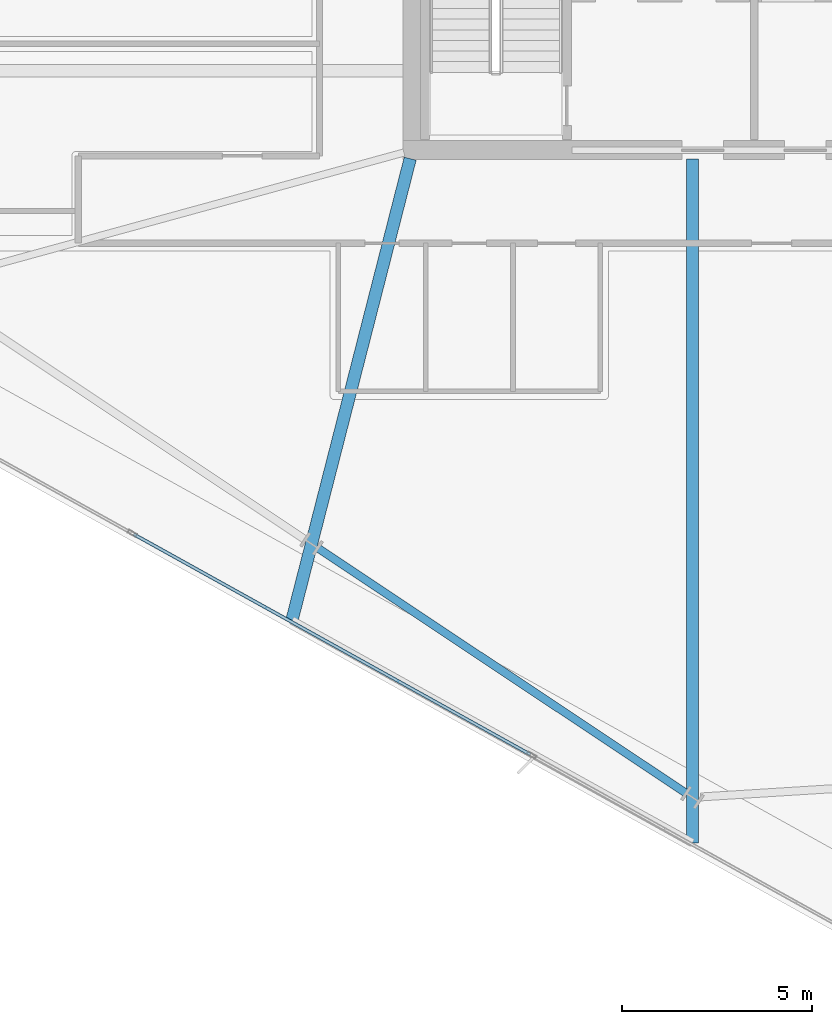
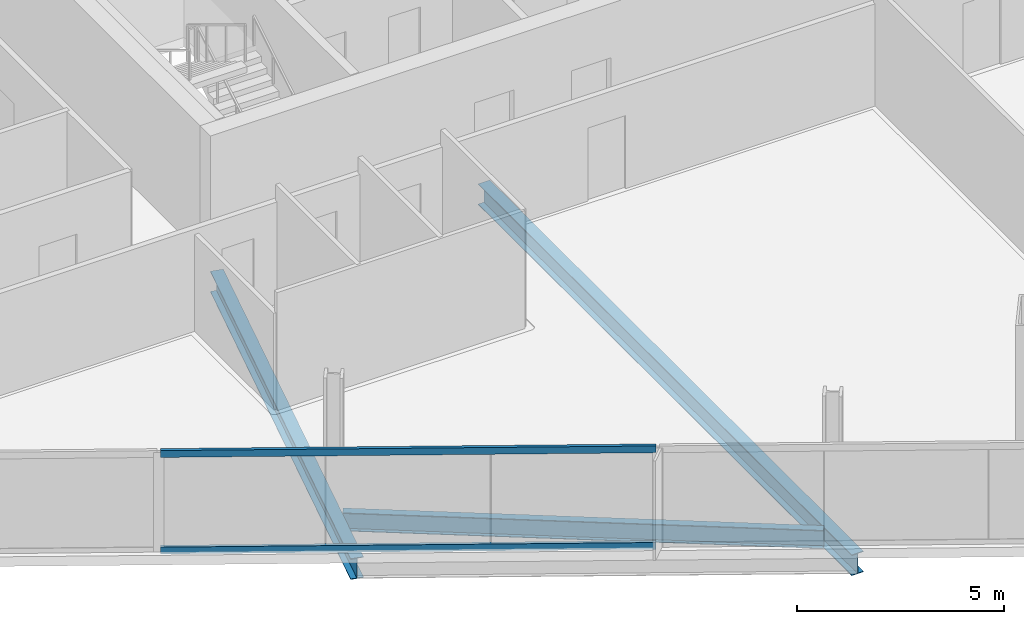
# One storey, part 4 of 28: 3 beams, 2 members, 1 element without a shape of its own.
"""IFC4 building model written with IfcOpenShell, lengths in metres."""

from ifc_helpers import new_model, si_unit, direction, frame, origin, origin_2d, place, context, subcontext, project, spatial, hollow_rectangle, i_section, extrude, material, material_profile, profile_set, type_object, element, aggregate, save


model = new_model("IFC4")

# Units and contexts
model_context = context("Model", 3, precision=1e-05, world=origin(), true_north=direction((0.0, 1.0)))
body_context = subcontext(model_context, "Body", "Model", "MODEL_VIEW")
ifc_project = project(units=[si_unit("LENGTHUNIT", "METRE"), si_unit("AREAUNIT", "SQUARE_METRE"), si_unit("VOLUMEUNIT", "CUBIC_METRE"), si_unit("PLANEANGLEUNIT", "RADIAN"), si_unit("MASSUNIT", "GRAM", prefix="KILO")], contexts=[model_context])

# Site, building, storey
site_placement = place(None, origin())
site = spatial("IfcSite", under=ifc_project, at=site_placement, CompositionType="ELEMENT")
building_placement = place(site_placement, origin())
building = spatial("IfcBuilding", under=site, at=building_placement, Name="Haldenkirk Collegiate Tower", CompositionType="ELEMENT")
storey_placement = place(building_placement, frame((0.0, 0.0, 232.199951171875)))
storey = spatial("IfcBuildingStorey", under=building, at=storey_placement, Name="L58", CompositionType="ELEMENT", Elevation=232.199951171875)

# Beams
ifc_material_1 = material(Name="Steel ASTM A992 Grade 50", Category="steel")
ifc_material_profile_1 = material_profile(ifc_material_1, i_section(OverallWidth=0.324951171875, OverallDepth=0.615966796875, WebThickness=0.013916015625, FlangeThickness=0.021484375, at=origin_2d()), Name="W24X117")
ifc_profile_set_1 = profile_set([ifc_material_profile_1], Name="Steel ASTM A992 Grade 50")
beam_type_1 = type_object("IfcBeamType", Name="BM-GIRDER-W24X117", PredefinedType="BEAM", material=ifc_profile_set_1)
beam_1_placement = place(storey_placement, frame((23.8271484375, 5.616455078125, -0.587890625), z_axis=(0.248196605916, 0.968709680354, 0.0), x_axis=(-0.968709680354, 0.248196605916, 0.0)))
element("IfcBeam", 1, at=beam_1_placement, inside=storey, type_object=beam_type_1, Name="L58 primary floor girder 15", PredefinedType="BEAM", context=body_context, shape_type="SweptSolid", body=[
    extrude(i_section(OverallWidth=0.324951171875, OverallDepth=0.615966796875, WebThickness=0.013916015625, FlangeThickness=0.021484375, at=origin_2d()), origin(), (0.0, 0.0, 1.0), 12.553466796875),
])
beam_2_placement = place(storey_placement, frame((34.376708984375, -0.243408203125, -0.587890625), z_axis=(0.0, 1.0, 0.0), x_axis=(-1.0, 0.0, 0.0)))
element("IfcBeam", 2, at=beam_2_placement, inside=storey, type_object=beam_type_1, Name="L58 primary floor girder 16", PredefinedType="BEAM", context=body_context, shape_type="SweptSolid", body=[
    extrude(i_section(OverallWidth=0.324951171875, OverallDepth=0.615966796875, WebThickness=0.013916015625, FlangeThickness=0.021484375, at=origin_2d()), origin(), (0.0, 0.0, 1.0), 18.013427734375),
])
ifc_material_profile_2 = material_profile(ifc_material_1, i_section(OverallWidth=0.2099609375, OverallDepth=0.537109375, WebThickness=0.010986328125, FlangeThickness=0.017333984375, at=origin_2d()), Name="W21X68")
ifc_profile_set_2 = profile_set([ifc_material_profile_2], Name="Steel ASTM A992 Grade 50")
beam_type_2 = type_object("IfcBeamType", Name="BM-SPANDREL-W21X68", PredefinedType="SPANDREL", material=ifc_profile_set_2)
beam_3_placement = place(storey_placement, frame((24.52392578125, 7.510986328125, -0.54833984375), z_axis=(0.832441238083, -0.554113332395, 0.0), x_axis=(0.554113332395, 0.832441238083, 0.0)))
element("IfcBeam", 3, at=beam_3_placement, inside=storey, type_object=beam_type_2, Name="L58 perimeter spandrel beam 15", PredefinedType="SPANDREL", context=body_context, shape_type="SweptSolid", body=[
    extrude(i_section(OverallWidth=0.2099609375, OverallDepth=0.537109375, WebThickness=0.010986328125, FlangeThickness=0.017333984375, at=origin_2d()), origin(), (0.0, 0.0, 1.0), 11.618896484375),
])

# Curtain wall, members
ifc_material_2 = material(Name="Anodised architectural bronze aluminium", Category="aluminium")
curtain_wall_type = type_object("IfcCurtainWallType", Name="CW-SYS1B-CONVEX-HI", PredefinedType="USERDEFINED", material=ifc_material_2)
curtain_wall_placement = place(storey_placement, origin())
curtain_wall = element("IfcCurtainWall", 4, at=curtain_wall_placement, inside=storey, type_object=curtain_wall_type, Name="L58 Upper tower high-wind convex bronze unitised curtain wall", ObjectType="UNITISED CURTAIN WALL", PredefinedType="USERDEFINED")
ifc_material_profile_3 = material_profile(ifc_material_2, hollow_rectangle(XDim=0.0849609375, YDim=0.199951171875, WallThickness=0.0048828125, at=origin_2d()), Name="CW-TRN-1B")
ifc_profile_set_3 = profile_set([ifc_material_profile_3], Name="Anodised architectural bronze aluminium")
member_type = type_object("IfcMemberType", Name="CW-TRN-1B", PredefinedType="USERDEFINED", material=ifc_profile_set_3)
member_1_placement = place(storey_placement, frame((30.10302734375, 2.084716796875, 0.04248046875), z_axis=(-0.874193924036, 0.485576959068, 0.0), x_axis=(-0.485576959068, -0.874193924036, 0.0)))
member_1 = element("IfcMember", 5, at=member_1_placement, type_object=member_type, Name="CW-1B transom 2.1", ObjectType="TRANSOM", PredefinedType="USERDEFINED", context=body_context, shape_type="SweptSolid", body=[
    extrude(hollow_rectangle(XDim=0.0849609375, YDim=0.199951171875, WallThickness=0.0048828125, at=origin_2d()), origin(), (0.0, 0.0, 1.0), 11.940185546875),
])
member_2_placement = place(storey_placement, frame((30.10302734375, 2.084716796875, 2.885498046875), z_axis=(-0.874193924036, 0.485576959068, 0.0), x_axis=(-0.485576959068, -0.874193924036, 0.0)))
member_2 = element("IfcMember", 6, at=member_2_placement, type_object=member_type, Name="CW-1B transom 2.2", ObjectType="TRANSOM", PredefinedType="USERDEFINED", context=body_context, shape_type="SweptSolid", body=[
    extrude(hollow_rectangle(XDim=0.0849609375, YDim=0.199951171875, WallThickness=0.0048828125, at=origin_2d()), origin(), (0.0, 0.0, 1.0), 11.940185546875),
])
aggregate(curtain_wall, [member_1, member_2])

save(model, "model.ifc")
